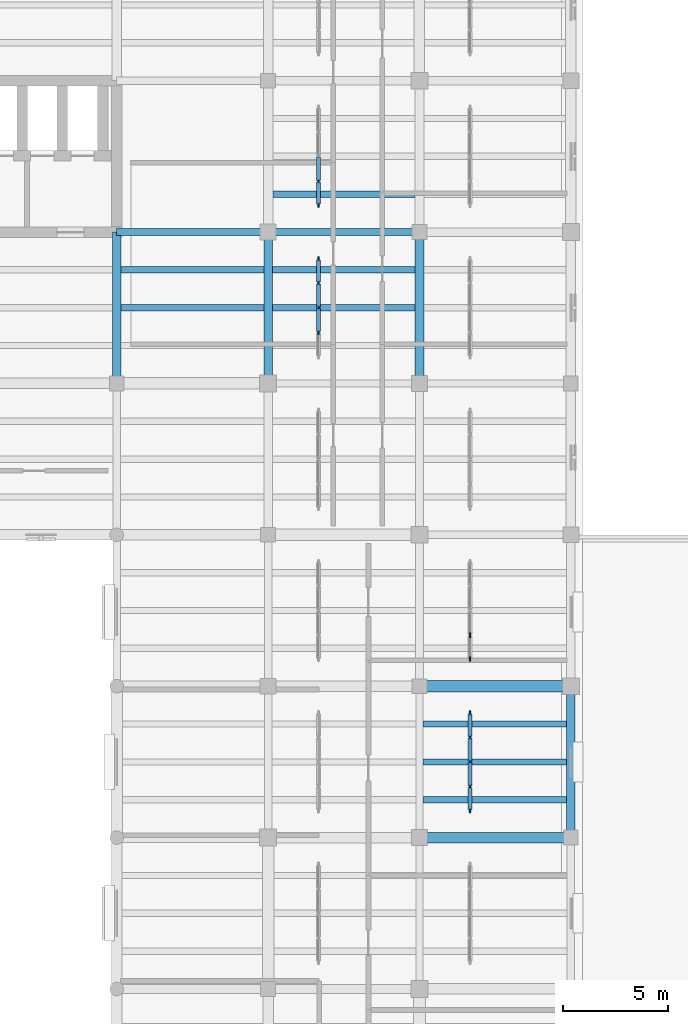
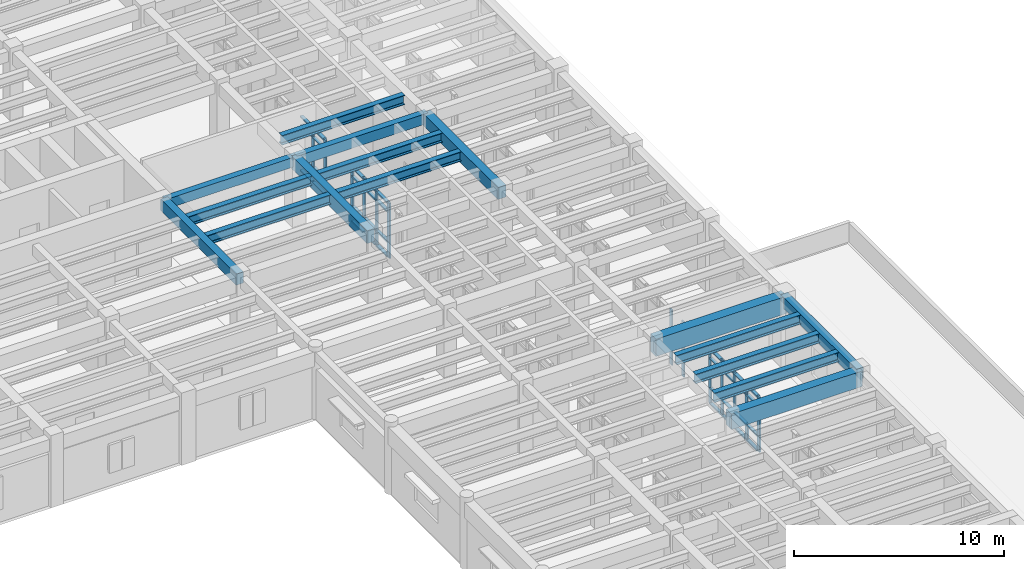
# One storey, part 30 of 76: 49 members, 16 beams, 4 elements without a shape of their own.
"""IFC4 building model written with IfcOpenShell, lengths in metres."""

import ifcopenshell
import ifcopenshell.guid

model = None  # the IFC model being written
_history = None  # IfcOwnerHistory: only IFC2X3 demands one
_inside = {}  # id of a spatial element -> (the spatial element, [elements in it])
_under = {}  # id of a project, library or spatial element -> (it, [spatial elements below it])
_declared = {}  # id of a project -> (the project, [libraries it declares])
_typed = {}  # id of a type object -> (the type object, [elements of that type])
_made_of = {}  # id of a material, layer set ... -> (it, [elements and type objects made of it])


def new_model(schema):
    """Start an empty IFC model of exactly this schema.

    Asked for "IFC4X3", IfcOpenShell would pick the latest addendum, in which some entities
    have other attributes; the version numbers below select the first issue.
    IFC2X3 requires an IfcOwnerHistory on every rooted entity: one is made here for all.
    """
    global model, _history
    if schema == "IFC4X3":
        model = ifcopenshell.file(schema_version=(4, 3, 0, 0))
    else:
        model = ifcopenshell.file(schema=schema)
    _inside.clear()
    _under.clear()
    _declared.clear()
    _typed.clear()
    _made_of.clear()
    _history = None
    if model.schema == "IFC2X3":
        org = make("IfcOrganization", Name="unknown")
        user = make(
            "IfcPersonAndOrganization",
            ThePerson=make("IfcPerson", FamilyName="unknown"),
            TheOrganization=org,
        )
        app = make(
            "IfcApplication",
            ApplicationDeveloper=org,
            Version="unknown",
            ApplicationFullName="unknown",
            ApplicationIdentifier="unknown",
        )
        _history = make(
            "IfcOwnerHistory",
            OwningUser=user,
            OwningApplication=app,
            ChangeAction="ADDED",
            CreationDate=0,
        )
    return model


def make(cls, **values):
    """One entity of the class cls with the attributes given. An attribute that is None is left unset."""
    return model.create_entity(
        cls, **{name: value for name, value in values.items() if value is not None}
    )


def rooted(cls, **values):
    """An entity with a GlobalId (a new one), such as an element, a storey or a relation."""
    return make(cls, GlobalId=ifcopenshell.guid.new(), OwnerHistory=_history, **values)


def si_unit(unit_type, name, prefix=None):
    """IfcSIUnit, for example si_unit("LENGTHUNIT", "METRE", prefix="MILLI")."""
    return make("IfcSIUnit", UnitType=unit_type, Prefix=prefix, Name=name)


def assignment(units):
    """IfcUnitAssignment: the units of a project."""
    return None if units is None else make("IfcUnitAssignment", Units=units)


def point(xyz):
    """IfcCartesianPoint."""
    return None if xyz is None else make("IfcCartesianPoint", Coordinates=xyz)


def direction(xyz):
    """IfcDirection."""
    return None if xyz is None else make("IfcDirection", DirectionRatios=xyz)


def frame(location, z_axis=None, x_axis=None):
    """IfcAxis2Placement3D, a coordinate frame: its origin and axes. An axis left out is left unset."""
    return make(
        "IfcAxis2Placement3D",
        Location=point(location),
        Axis=direction(z_axis),
        RefDirection=direction(x_axis),
    )


def frame_2d(location, x_axis=None):
    """IfcAxis2Placement2D, a coordinate frame in the plane: its origin and x axis."""
    return make(
        "IfcAxis2Placement2D", Location=point(location), RefDirection=direction(x_axis)
    )


def origin():
    """The frame at (0, 0, 0) with its axes left unset."""
    return frame((0.0, 0.0, 0.0))


def origin_2d():
    """The frame at (0, 0) in the plane with its x axis left unset."""
    return frame_2d((0.0, 0.0))


def place(relative_to, where):
    """IfcLocalPlacement: puts the frame where relative to a parent placement (None: the world)."""
    return make(
        "IfcLocalPlacement", PlacementRelTo=relative_to, RelativePlacement=where
    )


def context(
    kind, dimensions, precision=None, world=None, true_north=None, identifier=None
):
    """IfcGeometricRepresentationContext, for example the 3D "Model" context."""
    return make(
        "IfcGeometricRepresentationContext",
        ContextIdentifier=identifier,
        ContextType=kind,
        CoordinateSpaceDimension=dimensions,
        Precision=precision,
        WorldCoordinateSystem=world,
        TrueNorth=true_north,
    )


def subcontext(parent, identifier, kind, view, scale=None):
    """IfcGeometricRepresentationSubContext, for example "Body" below "Model"."""
    return make(
        "IfcGeometricRepresentationSubContext",
        ContextIdentifier=identifier,
        ContextType=kind,
        ParentContext=parent,
        TargetScale=scale,
        TargetView=view,
    )


def project(units=None, contexts=None):
    """IfcProject with its units and contexts."""
    return rooted(
        "IfcProject",
        Name="project",
        RepresentationContexts=contexts,
        UnitsInContext=assignment(units),
    )


def spatial(cls, under=None, at=None, **own):
    """A site, building, storey or space (cls), placed at a placement, below another one or the project."""
    s = rooted(cls, ObjectPlacement=at, **own)
    if under is not None:
        _under.setdefault(under.id(), (under, []))[1].append(s)
    return s


def profile(cls, at=None, kind="AREA", **sizes):
    """A parametric profile (cls). Its sizes go by their IFC names, for example OverallWidth=200.0."""
    return make(cls, ProfileType=kind, Position=at, **sizes)


def rectangle(**sizes):
    """IfcRectangleProfileDef."""
    return profile("IfcRectangleProfileDef", **sizes)


def i_section(**sizes):
    """IfcIShapeProfileDef."""
    return profile("IfcIShapeProfileDef", **sizes)


def extrude(swept, where, along, depth):
    """IfcExtrudedAreaSolid: the profile swept, set in the frame where, extruded along a direction by depth."""
    return make(
        "IfcExtrudedAreaSolid",
        SweptArea=swept,
        Position=where,
        ExtrudedDirection=direction(along),
        Depth=depth,
    )


def shape(context_of_items, identifier, shape_type, items):
    """IfcShapeRepresentation: the items that make up one representation, for example the "Body"."""
    return make(
        "IfcShapeRepresentation",
        ContextOfItems=context_of_items,
        RepresentationIdentifier=identifier,
        RepresentationType=shape_type,
        Items=items,
    )


def material(Name=None, Category=None):
    """IfcMaterial."""
    return make("IfcMaterial", Name=Name, Category=Category)


def material_profile(
    of_material, cross_section, Name=None, Category=None, Priority=None
):
    """IfcMaterialProfile: a cross section and its material."""
    return make(
        "IfcMaterialProfile",
        Name=Name,
        Material=of_material,
        Profile=cross_section,
        Priority=Priority,
        Category=Category,
    )


def profile_set(profiles, Name=None, composite=None):
    """IfcMaterialProfileSet."""
    return make(
        "IfcMaterialProfileSet",
        Name=Name,
        MaterialProfiles=profiles,
        CompositeProfile=composite,
    )


def made_of(thing, what):
    """Note that an element or type object is made of a material, layer set ...; save() writes the relation."""
    if what is not None:
        _made_of.setdefault(what.id(), (what, []))[1].append(thing)
    return thing


def type_object(cls, material=None, **own):
    """A type object (cls), such as IfcWallType, which elements share."""
    return made_of(rooted(cls, **own), material)


def element(
    cls,
    number,
    at=None,
    inside=None,
    cuts=None,
    type_object=None,
    material=None,
    context=None,
    identifier="Body",
    shape_type=None,
    held_by="IfcProductDefinitionShape",
    body=None,
    shapes=None,
    **own,
):
    """One element of the class cls, such as IfcWall. Its Tag is "e" and its number.

    at: its placement. inside: the storey or other place that contains it. cuts: it is an
    opening in that element (IfcRelVoidsElement). A single representation is given by context,
    identifier, shape_type and body (its items); several are given by shapes. held_by: the class
    of the entity that holds the representations. save() writes the other relations.
    """
    e = rooted(cls, Tag="e%d" % number, ObjectPlacement=at, **own)
    if body is not None:
        shapes = [shape(context, identifier, shape_type, body)]
    if shapes is not None:
        e.Representation = make(held_by, Representations=shapes)
    if inside is not None:
        _inside.setdefault(inside.id(), (inside, []))[1].append(e)
    if cuts is not None:
        rooted(
            "IfcRelVoidsElement", RelatingBuildingElement=cuts, RelatedOpeningElement=e
        )
    if type_object is not None:
        _typed.setdefault(type_object.id(), (type_object, []))[1].append(e)
    return made_of(e, material)


def aggregate(whole, parts):
    """IfcRelAggregates: a whole, such as a stair, and the parts it consists of."""
    return rooted("IfcRelAggregates", RelatingObject=whole, RelatedObjects=parts)


def save(model, path):
    """Write the relations noted so far, then the file.

    IfcRelAggregates (storeys below a building ...), IfcRelContainedInSpatialStructure (elements
    in a storey), IfcRelDefinesByType, IfcRelAssociatesMaterial and IfcRelDeclares: one each for
    every whole, place, type object, material and project.
    """
    for whole, parts in _under.values():
        aggregate(whole, parts)
    for where, things in _inside.values():
        rooted(
            "IfcRelContainedInSpatialStructure",
            RelatedElements=things,
            RelatingStructure=where,
        )
    for kind, things in _typed.values():
        rooted("IfcRelDefinesByType", RelatedObjects=things, RelatingType=kind)
    for what, things in _made_of.values():
        rooted("IfcRelAssociatesMaterial", RelatedObjects=things, RelatingMaterial=what)
    for by, libraries in _declared.values():
        rooted("IfcRelDeclares", RelatingContext=by, RelatedDefinitions=libraries)
    model.write(path)


model = new_model("IFC4")

# Units and contexts
model_context = context("Model", 3, precision=1e-05, world=origin(), true_north=direction((0.0, 1.0)))
body_context = subcontext(model_context, "Body", "Model", "MODEL_VIEW")
ifc_project = project(units=[si_unit("LENGTHUNIT", "METRE"), si_unit("AREAUNIT", "SQUARE_METRE"), si_unit("VOLUMEUNIT", "CUBIC_METRE"), si_unit("PLANEANGLEUNIT", "RADIAN"), si_unit("MASSUNIT", "GRAM", prefix="KILO")], contexts=[model_context])

# Site, building, storey
site_placement = place(None, origin())
site = spatial("IfcSite", under=ifc_project, at=site_placement, CompositionType="ELEMENT")
building_placement = place(site_placement, origin())
building = spatial("IfcBuilding", under=site, at=building_placement, Name="Mithqara Police Headquarters", CompositionType="ELEMENT")
storey_placement = place(building_placement, frame((0.0, 0.0, 5.39990234375)))
storey = spatial("IfcBuildingStorey", under=building, at=storey_placement, Name="L01", CompositionType="ELEMENT", Elevation=5.39990234375)

# Beams
ifc_material_1 = material(Name="Steel S355JR", Category="steel")
ifc_material_profile_1 = material_profile(ifc_material_1, i_section(OverallWidth=0.300048828125, OverallDepth=0.550048828125, WebThickness=0.014892578125, FlangeThickness=0.029052734375, FilletRadius=0.027099609375, at=origin_2d()), Name="HEB 550")
ifc_profile_set_1 = profile_set([ifc_material_profile_1], Name="Steel S355JR")
beam_type_1 = type_object("IfcBeamType", Name="BEAM HEB550", PredefinedType="BEAM", material=ifc_profile_set_1)
for number, where, z_axis, x_axis, name in (
    (1, (144.800048828125, 89.39990234375, 3.64501953125), (1.0, 0.0, 0.0), (0.0, 1.0, 0.0), "L01 Composite Steel Joist 21-22/N.2"),
    (2, (144.800048828125, 91.199951171875, 3.64501953125), (1.0, 0.0, 0.0), (0.0, 1.0, 0.0), "L01 Composite Steel Joist 21-22/N.3"),
):
    element("IfcBeam", number, at=place(storey_placement, frame(where, z_axis=z_axis, x_axis=x_axis)), inside=storey, type_object=beam_type_1, Name=name, PredefinedType="BEAM", context=body_context, shape_type="SweptSolid", body=[
        extrude(i_section(OverallWidth=0.300048828125, OverallDepth=0.550048828125, WebThickness=0.014892578125, FlangeThickness=0.029052734375, FilletRadius=0.027099609375, at=origin_2d()), origin(), (0.0, 0.0, 1.0), 6.800048828125),
    ])
for number, where, z_axis, x_axis, name in (
    (3, (152.0, 89.39990234375, 3.64501953125), (1.0, 0.0, 0.0), (0.0, 1.0, 0.0), "L01 Composite Steel Joist 22-23/N.2"),
    (4, (152.0, 91.199951171875, 3.64501953125), (1.0, 0.0, 0.0), (0.0, 1.0, 0.0), "L01 Composite Steel Joist 22-23/N.3"),
):
    element("IfcBeam", number, at=place(storey_placement, frame(where, z_axis=z_axis, x_axis=x_axis)), inside=storey, type_object=beam_type_1, Name=name, PredefinedType="BEAM", context=body_context, shape_type="SweptSolid", body=[
        extrude(i_section(OverallWidth=0.300048828125, OverallDepth=0.550048828125, WebThickness=0.014892578125, FlangeThickness=0.029052734375, FilletRadius=0.027099609375, at=origin_2d()), origin(), (0.0, 0.0, 1.0), 6.77490234375),
    ])
beam_1_placement = place(storey_placement, frame((152.02490234375, 94.800048828125, 3.64501953125), z_axis=(1.0, 0.0, 0.0), x_axis=(0.0, 1.0, 0.0)))
element("IfcBeam", 5, at=beam_1_placement, inside=storey, type_object=beam_type_1, Name="L01 Composite Steel Joist 22-23/P.1", PredefinedType="BEAM", context=body_context, shape_type="SweptSolid", body=[
    extrude(i_section(OverallWidth=0.300048828125, OverallDepth=0.550048828125, WebThickness=0.014892578125, FlangeThickness=0.029052734375, FilletRadius=0.027099609375, at=origin_2d()), origin(), (0.0, 0.0, 1.0), 6.75),
])
for number, where, z_axis, x_axis, name in (
    (6, (159.175048828125, 66.0, 3.64501953125), (1.0, 0.0, 0.0), (0.0, 1.0, 0.0), "L01 Composite Steel Joist 23-24/K.1"),
    (7, (159.175048828125, 67.800048828125, 3.64501953125), (1.0, 0.0, 0.0), (0.0, 1.0, 0.0), "L01 Composite Steel Joist 23-24/K.2"),
    (8, (159.175048828125, 69.60009765625, 3.64501953125), (1.0, 0.0, 0.0), (0.0, 1.0, 0.0), "L01 Composite Steel Joist 23-24/K.3"),
):
    element("IfcBeam", number, at=place(storey_placement, frame(where, z_axis=z_axis, x_axis=x_axis)), inside=storey, type_object=beam_type_1, Name=name, PredefinedType="BEAM", context=body_context, shape_type="SweptSolid", body=[
        extrude(i_section(OverallWidth=0.300048828125, OverallDepth=0.550048828125, WebThickness=0.014892578125, FlangeThickness=0.029052734375, FilletRadius=0.027099609375, at=origin_2d()), origin(), (0.0, 0.0, 1.0), 6.824951171875),
    ])
ifc_material_2 = material(Name="Concrete C40/50", Category="concrete")
ifc_material_profile_2 = material_profile(ifc_material_2, rectangle(XDim=0.35009765625, YDim=0.550048828125, at=origin_2d()), Name="RC 350x550")
ifc_profile_set_2 = profile_set([ifc_material_profile_2], Name="Concrete C40/50")
beam_type_2 = type_object("IfcBeamType", Name="BEAM RC350X550", PredefinedType="BEAM", material=ifc_profile_set_2)
beam_2_placement = place(storey_placement, frame((144.60009765625, 93.0, 3.64501953125), z_axis=(1.0, 0.0, 0.0), x_axis=(0.0, 1.0, 0.0)))
element("IfcBeam", 9, at=beam_2_placement, inside=storey, type_object=beam_type_2, Name="L01 Girder 21-22/P", PredefinedType="BEAM", context=body_context, shape_type="SweptSolid", body=[
    extrude(rectangle(XDim=0.35009765625, YDim=0.550048828125, at=origin_2d()), origin(), (0.0, 0.0, 1.0), 7.199951171875),
])
ifc_material_profile_3 = material_profile(ifc_material_2, rectangle(XDim=0.35009765625, YDim=0.60009765625, at=origin_2d()), Name="RC 350x600")
ifc_profile_set_3 = profile_set([ifc_material_profile_3], Name="Concrete C40/50")
beam_type_3 = type_object("IfcBeamType", Name="BEAM RC350X600", PredefinedType="BEAM", material=ifc_profile_set_3)
beam_3_placement = place(storey_placement, frame((151.800048828125, 93.0, 3.6201171875), z_axis=(1.0, 0.0, 0.0), x_axis=(0.0, 1.0, 0.0)))
element("IfcBeam", 10, at=beam_3_placement, inside=storey, type_object=beam_type_3, Name="L01 Girder 22-23/P", PredefinedType="BEAM", context=body_context, shape_type="SweptSolid", body=[
    extrude(rectangle(XDim=0.35009765625, YDim=0.60009765625, at=origin_2d()), origin(), (0.0, 0.0, 1.0), 7.199951171875),
])
ifc_material_profile_4 = material_profile(ifc_material_2, rectangle(XDim=0.39990234375, YDim=0.64990234375, at=origin_2d()), Name="RC 400x650")
ifc_profile_set_4 = profile_set([ifc_material_profile_4], Name="Concrete C40/50")
beam_type_4 = type_object("IfcBeamType", Name="BEAM RC400X650", PredefinedType="BEAM", material=ifc_profile_set_4)
for number, where, z_axis, x_axis, name in (
    (11, (144.60009765625, 85.800048828125, 3.59521484375), (0.0, 1.0, 0.0), (-1.0, 0.0, 0.0), "L01 Girder 21/N-P"),
    (12, (166.199951171875, 64.199951171875, 3.59521484375), (0.0, 1.0, 0.0), (-1.0, 0.0, 0.0), "L01 Girder 24/K-L"),
):
    element("IfcBeam", number, at=place(storey_placement, frame(where, z_axis=z_axis, x_axis=x_axis)), inside=storey, type_object=beam_type_4, Name=name, PredefinedType="BEAM", context=body_context, shape_type="SweptSolid", body=[
        extrude(rectangle(XDim=0.39990234375, YDim=0.64990234375, at=origin_2d()), origin(), (0.0, 0.0, 1.0), 7.199951171875),
    ])
ifc_material_profile_5 = material_profile(ifc_material_2, rectangle(XDim=0.39990234375, YDim=0.75, at=origin_2d()), Name="RC 400x750")
ifc_profile_set_5 = profile_set([ifc_material_profile_5], Name="Concrete C40/50")
beam_type_5 = type_object("IfcBeamType", Name="BEAM RC400X750", PredefinedType="BEAM", material=ifc_profile_set_5)
beam_4_placement = place(storey_placement, frame((151.800048828125, 85.800048828125, 3.545166015625), z_axis=(0.0, 1.0, 0.0), x_axis=(-1.0, 0.0, 0.0)))
element("IfcBeam", 13, at=beam_4_placement, inside=storey, type_object=beam_type_5, Name="L01 Girder 22/N-P", PredefinedType="BEAM", context=body_context, shape_type="SweptSolid", body=[
    extrude(rectangle(XDim=0.39990234375, YDim=0.75, at=origin_2d()), origin(), (0.0, 0.0, 1.0), 7.199951171875),
])
ifc_material_profile_6 = material_profile(ifc_material_2, rectangle(XDim=0.449951171875, YDim=0.699951171875, at=origin_2d()), Name="RC 450x700")
ifc_profile_set_6 = profile_set([ifc_material_profile_6], Name="Concrete C40/50")
beam_type_6 = type_object("IfcBeamType", Name="BEAM RC450X700", PredefinedType="BEAM", material=ifc_profile_set_6)
beam_5_placement = place(storey_placement, frame((159.0, 85.800048828125, 3.570068359375), z_axis=(0.0, 1.0, 0.0), x_axis=(-1.0, 0.0, 0.0)))
element("IfcBeam", 14, at=beam_5_placement, inside=storey, type_object=beam_type_6, Name="L01 Girder 23/N-P", PredefinedType="BEAM", context=body_context, shape_type="SweptSolid", body=[
    extrude(rectangle(XDim=0.449951171875, YDim=0.699951171875, at=origin_2d()), origin(), (0.0, 0.0, 1.0), 7.199951171875),
])
ifc_material_3 = material(Name="Concrete C50/60", Category="concrete")
ifc_material_profile_7 = material_profile(ifc_material_3, rectangle(XDim=0.5, YDim=0.89990234375, at=origin_2d()), Name="RC 500x900")
ifc_profile_set_7 = profile_set([ifc_material_profile_7], Name="Concrete C50/60")
beam_type_7 = type_object("IfcBeamType", Name="BEAM RC500X900", PredefinedType="BEAM", material=ifc_profile_set_7)
beam_6_placement = place(storey_placement, frame((159.0, 64.199951171875, 3.47021484375), z_axis=(1.0, 0.0, 0.0), x_axis=(0.0, 1.0, 0.0)))
element("IfcBeam", 15, at=beam_6_placement, inside=storey, type_object=beam_type_7, Name="L01 Girder 23-24/K", PredefinedType="BEAM", context=body_context, shape_type="SweptSolid", body=[
    extrude(rectangle(XDim=0.5, YDim=0.89990234375, at=origin_2d()), origin(), (0.0, 0.0, 1.0), 7.199951171875),
])
ifc_material_profile_8 = material_profile(ifc_material_3, rectangle(XDim=0.550048828125, YDim=1.0, at=origin_2d()), Name="RC 550x1000")
ifc_profile_set_8 = profile_set([ifc_material_profile_8], Name="Concrete C50/60")
beam_type_8 = type_object("IfcBeamType", Name="BEAM RC550X1000", PredefinedType="BEAM", material=ifc_profile_set_8)
beam_7_placement = place(storey_placement, frame((159.0, 71.39990234375, 3.420166015625), z_axis=(1.0, 0.0, 0.0), x_axis=(0.0, 1.0, 0.0)))
element("IfcBeam", 16, at=beam_7_placement, inside=storey, type_object=beam_type_8, Name="L01 Girder 23-24/L", PredefinedType="BEAM", context=body_context, shape_type="SweptSolid", body=[
    extrude(rectangle(XDim=0.550048828125, YDim=1.0, at=origin_2d()), origin(), (0.0, 0.0, 1.0), 7.199951171875),
])

# Curtain wall, members
ifc_material_4 = material(Name="Bronze anodised aluminium 6063-T6", Category="aluminium")
curtain_wall_type = type_object("IfcCurtainWallType", Name="CURTAIN WALL 4700X3200", PredefinedType="USERDEFINED", material=ifc_material_4)
curtain_wall_1_placement = place(storey_placement, origin())
curtain_wall_1 = element("IfcCurtainWall", 17, at=curtain_wall_1_placement, inside=storey, type_object=curtain_wall_type, Name="L01 Unitised Glazing CW-15 (CW-INT-L01-X21-Y12-0)", ObjectType="UNITISED GLAZING", PredefinedType="USERDEFINED")
ifc_material_profile_9 = material_profile(ifc_material_4, rectangle(XDim=0.074951171875, YDim=0.219970703125, at=origin_2d()), Name="CWM 75x220")
ifc_profile_set_9 = profile_set([ifc_material_profile_9], Name="Bronze anodised aluminium 6063-T6")
member_type_1 = type_object("IfcMemberType", Name="CWMULLION 75X220", PredefinedType="MULLION", material=ifc_profile_set_9)
member_1_placement = place(storey_placement, frame((154.199951171875, 88.22509765625, 0.0), z_axis=(0.0, 0.0, 1.0), x_axis=(-1.0, 0.0, 0.0)))
member_1 = element("IfcMember", 18, at=member_1_placement, type_object=member_type_1, Name="CW-15 mullion 2", PredefinedType="MULLION", context=body_context, shape_type="SweptSolid", body=[
    extrude(rectangle(XDim=0.074951171875, YDim=0.219970703125, at=origin_2d()), origin(), (0.0, 0.0, 1.0), 3.2001953125),
])
member_2_placement = place(storey_placement, frame((154.199951171875, 89.39990234375, 0.0), z_axis=(0.0, 0.0, 1.0), x_axis=(-1.0, 0.0, 0.0)))
member_2 = element("IfcMember", 19, at=member_2_placement, type_object=member_type_1, Name="CW-15 mullion 3", PredefinedType="MULLION", context=body_context, shape_type="SweptSolid", body=[
    extrude(rectangle(XDim=0.074951171875, YDim=0.219970703125, at=origin_2d()), origin(), (0.0, 0.0, 1.0), 3.2001953125),
])
member_3_placement = place(storey_placement, frame((154.199951171875, 90.574951171875, 0.0), z_axis=(0.0, 0.0, 1.0), x_axis=(-1.0, 0.0, 0.0)))
member_3 = element("IfcMember", 20, at=member_3_placement, type_object=member_type_1, Name="CW-15 mullion 4", PredefinedType="MULLION", context=body_context, shape_type="SweptSolid", body=[
    extrude(rectangle(XDim=0.074951171875, YDim=0.219970703125, at=origin_2d()), origin(), (0.0, 0.0, 1.0), 3.2001953125),
])
member_4_placement = place(storey_placement, frame((154.199951171875, 91.71240234375, 0.0), z_axis=(0.0, 0.0, 1.0), x_axis=(-1.0, 0.0, 0.0)))
member_4 = element("IfcMember", 21, at=member_4_placement, type_object=member_type_1, Name="CW-15 mullion 5", PredefinedType="MULLION", context=body_context, shape_type="SweptSolid", body=[
    extrude(rectangle(XDim=0.074951171875, YDim=0.219970703125, at=origin_2d()), origin(), (0.0, 0.0, 1.0), 3.2001953125),
])

curtain_wall_2_placement = place(storey_placement, origin())
curtain_wall_2 = element("IfcCurtainWall", 22, at=curtain_wall_2_placement, inside=storey, type_object=curtain_wall_type, Name="L01 Unitised Glazing CW-15 (CW-INT-L01-X21-Y13-0)", ObjectType="UNITISED GLAZING", PredefinedType="USERDEFINED")
member_5_placement = place(storey_placement, frame((154.199951171875, 94.28759765625, 0.0), z_axis=(0.0, 0.0, 1.0), x_axis=(-1.0, 0.0, 0.0)))
member_5 = element("IfcMember", 23, at=member_5_placement, type_object=member_type_1, Name="CW-15 mullion 1", PredefinedType="MULLION", context=body_context, shape_type="SweptSolid", body=[
    extrude(rectangle(XDim=0.074951171875, YDim=0.219970703125, at=origin_2d()), origin(), (0.0, 0.0, 1.0), 3.2001953125),
])
member_6_placement = place(storey_placement, frame((154.199951171875, 95.425048828125, 0.0), z_axis=(0.0, 0.0, 1.0), x_axis=(-1.0, 0.0, 0.0)))
member_6 = element("IfcMember", 24, at=member_6_placement, type_object=member_type_1, Name="CW-15 mullion 2", PredefinedType="MULLION", context=body_context, shape_type="SweptSolid", body=[
    extrude(rectangle(XDim=0.074951171875, YDim=0.219970703125, at=origin_2d()), origin(), (0.0, 0.0, 1.0), 3.2001953125),
])

curtain_wall_3_placement = place(storey_placement, origin())
curtain_wall_3 = element("IfcCurtainWall", 25, at=curtain_wall_3_placement, inside=storey, type_object=curtain_wall_type, Name="L01 Unitised Glazing CW-15 (CW-INT-L01-X22-Y09-0)", ObjectType="UNITISED GLAZING", PredefinedType="USERDEFINED")
member_7_placement = place(storey_placement, frame((161.39990234375, 65.487548828125, 0.0), z_axis=(0.0, 0.0, 1.0), x_axis=(-1.0, 0.0, 0.0)))
member_7 = element("IfcMember", 26, at=member_7_placement, type_object=member_type_1, Name="CW-15 mullion 1", PredefinedType="MULLION", context=body_context, shape_type="SweptSolid", body=[
    extrude(rectangle(XDim=0.074951171875, YDim=0.219970703125, at=origin_2d()), origin(), (0.0, 0.0, 1.0), 3.2001953125),
])
member_8_placement = place(storey_placement, frame((161.39990234375, 66.625, 0.0), z_axis=(0.0, 0.0, 1.0), x_axis=(-1.0, 0.0, 0.0)))
member_8 = element("IfcMember", 27, at=member_8_placement, type_object=member_type_1, Name="CW-15 mullion 2", PredefinedType="MULLION", context=body_context, shape_type="SweptSolid", body=[
    extrude(rectangle(XDim=0.074951171875, YDim=0.219970703125, at=origin_2d()), origin(), (0.0, 0.0, 1.0), 3.2001953125),
])
member_9_placement = place(storey_placement, frame((161.39990234375, 67.800048828125, 0.0), z_axis=(0.0, 0.0, 1.0), x_axis=(-1.0, 0.0, 0.0)))
member_9 = element("IfcMember", 28, at=member_9_placement, type_object=member_type_1, Name="CW-15 mullion 3", PredefinedType="MULLION", context=body_context, shape_type="SweptSolid", body=[
    extrude(rectangle(XDim=0.074951171875, YDim=0.219970703125, at=origin_2d()), origin(), (0.0, 0.0, 1.0), 3.2001953125),
])
member_10_placement = place(storey_placement, frame((161.39990234375, 68.97509765625, 0.0), z_axis=(0.0, 0.0, 1.0), x_axis=(-1.0, 0.0, 0.0)))
member_10 = element("IfcMember", 29, at=member_10_placement, type_object=member_type_1, Name="CW-15 mullion 4", PredefinedType="MULLION", context=body_context, shape_type="SweptSolid", body=[
    extrude(rectangle(XDim=0.074951171875, YDim=0.219970703125, at=origin_2d()), origin(), (0.0, 0.0, 1.0), 3.2001953125),
])
member_11_placement = place(storey_placement, frame((161.39990234375, 70.112548828125, 0.0), z_axis=(0.0, 0.0, 1.0), x_axis=(-1.0, 0.0, 0.0)))
member_11 = element("IfcMember", 30, at=member_11_placement, type_object=member_type_1, Name="CW-15 mullion 5", PredefinedType="MULLION", context=body_context, shape_type="SweptSolid", body=[
    extrude(rectangle(XDim=0.074951171875, YDim=0.219970703125, at=origin_2d()), origin(), (0.0, 0.0, 1.0), 3.2001953125),
])

curtain_wall_4_placement = place(storey_placement, origin())
curtain_wall_4 = element("IfcCurtainWall", 31, at=curtain_wall_4_placement, inside=storey, type_object=curtain_wall_type, Name="L01 Unitised Glazing CW-15 (CW-INT-L01-X22-Y10-0)", ObjectType="UNITISED GLAZING", PredefinedType="USERDEFINED")
member_12_placement = place(storey_placement, frame((161.39990234375, 72.6875, 0.0), z_axis=(0.0, 0.0, 1.0), x_axis=(-1.0, 0.0, 0.0)))
member_12 = element("IfcMember", 32, at=member_12_placement, type_object=member_type_1, Name="CW-15 mullion 1", PredefinedType="MULLION", context=body_context, shape_type="SweptSolid", body=[
    extrude(rectangle(XDim=0.074951171875, YDim=0.219970703125, at=origin_2d()), origin(), (0.0, 0.0, 1.0), 3.2001953125),
])
member_13_placement = place(storey_placement, frame((161.39990234375, 73.824951171875, 0.0), z_axis=(0.0, 0.0, 1.0), x_axis=(-1.0, 0.0, 0.0)))
member_13 = element("IfcMember", 33, at=member_13_placement, type_object=member_type_1, Name="CW-15 mullion 2", PredefinedType="MULLION", context=body_context, shape_type="SweptSolid", body=[
    extrude(rectangle(XDim=0.074951171875, YDim=0.219970703125, at=origin_2d()), origin(), (0.0, 0.0, 1.0), 3.2001953125),
])
aggregate(curtain_wall_4, [member_12, member_13])

# Member
ifc_material_profile_10 = material_profile(ifc_material_4, rectangle(XDim=0.179931640625, YDim=0.074951171875, at=origin_2d()), Name="CWT 180x75")
ifc_profile_set_10 = profile_set([ifc_material_profile_10], Name="Bronze anodised aluminium 6063-T6")
member_type_2 = type_object("IfcMemberType", Name="CWTRANSOM 180X75", PredefinedType="USERDEFINED", material=ifc_profile_set_10)
member_14_placement = place(storey_placement, frame((154.199951171875, 88.262451171875, 0.03759765625), z_axis=(0.0, 1.0, 0.0), x_axis=(-1.0, 0.0, 0.0)))
member_14 = element("IfcMember", 34, at=member_14_placement, type_object=member_type_2, Name="CW-15 transom 2.1", ObjectType="TRANSOM", PredefinedType="USERDEFINED", context=body_context, shape_type="SweptSolid", body=[
    extrude(rectangle(XDim=0.179931640625, YDim=0.074951171875, at=origin_2d()), origin(), (0.0, 0.0, 1.0), 1.10009765625),
])

member_15_placement = place(storey_placement, frame((154.199951171875, 88.262451171875, 0.900146484375), z_axis=(0.0, 1.0, 0.0), x_axis=(-1.0, 0.0, 0.0)))
member_15 = element("IfcMember", 35, at=member_15_placement, type_object=member_type_2, Name="CW-15 transom 2.2", ObjectType="TRANSOM", PredefinedType="USERDEFINED", context=body_context, shape_type="SweptSolid", body=[
    extrude(rectangle(XDim=0.179931640625, YDim=0.074951171875, at=origin_2d()), origin(), (0.0, 0.0, 1.0), 1.10009765625),
])

member_16_placement = place(storey_placement, frame((154.199951171875, 88.262451171875, 2.650146484375), z_axis=(0.0, 1.0, 0.0), x_axis=(-1.0, 0.0, 0.0)))
member_16 = element("IfcMember", 36, at=member_16_placement, type_object=member_type_2, Name="CW-15 transom 2.3", ObjectType="TRANSOM", PredefinedType="USERDEFINED", context=body_context, shape_type="SweptSolid", body=[
    extrude(rectangle(XDim=0.179931640625, YDim=0.074951171875, at=origin_2d()), origin(), (0.0, 0.0, 1.0), 1.10009765625),
])

member_17_placement = place(storey_placement, frame((154.199951171875, 88.262451171875, 3.16259765625), z_axis=(0.0, 1.0, 0.0), x_axis=(-1.0, 0.0, 0.0)))
member_17 = element("IfcMember", 37, at=member_17_placement, type_object=member_type_2, Name="CW-15 transom 2.4", ObjectType="TRANSOM", PredefinedType="USERDEFINED", context=body_context, shape_type="SweptSolid", body=[
    extrude(rectangle(XDim=0.179931640625, YDim=0.074951171875, at=origin_2d()), origin(), (0.0, 0.0, 1.0), 1.10009765625),
])

member_18_placement = place(storey_placement, frame((154.199951171875, 89.4375, 0.03759765625), z_axis=(0.0, 1.0, 0.0), x_axis=(-1.0, 0.0, 0.0)))
member_18 = element("IfcMember", 38, at=member_18_placement, type_object=member_type_2, Name="CW-15 transom 3.1", ObjectType="TRANSOM", PredefinedType="USERDEFINED", context=body_context, shape_type="SweptSolid", body=[
    extrude(rectangle(XDim=0.179931640625, YDim=0.074951171875, at=origin_2d()), origin(), (0.0, 0.0, 1.0), 1.10009765625),
])

member_19_placement = place(storey_placement, frame((154.199951171875, 89.4375, 0.900146484375), z_axis=(0.0, 1.0, 0.0), x_axis=(-1.0, 0.0, 0.0)))
member_19 = element("IfcMember", 39, at=member_19_placement, type_object=member_type_2, Name="CW-15 transom 3.2", ObjectType="TRANSOM", PredefinedType="USERDEFINED", context=body_context, shape_type="SweptSolid", body=[
    extrude(rectangle(XDim=0.179931640625, YDim=0.074951171875, at=origin_2d()), origin(), (0.0, 0.0, 1.0), 1.10009765625),
])

member_20_placement = place(storey_placement, frame((154.199951171875, 89.4375, 2.650146484375), z_axis=(0.0, 1.0, 0.0), x_axis=(-1.0, 0.0, 0.0)))
member_20 = element("IfcMember", 40, at=member_20_placement, type_object=member_type_2, Name="CW-15 transom 3.3", ObjectType="TRANSOM", PredefinedType="USERDEFINED", context=body_context, shape_type="SweptSolid", body=[
    extrude(rectangle(XDim=0.179931640625, YDim=0.074951171875, at=origin_2d()), origin(), (0.0, 0.0, 1.0), 1.10009765625),
])

member_21_placement = place(storey_placement, frame((154.199951171875, 89.4375, 3.16259765625), z_axis=(0.0, 1.0, 0.0), x_axis=(-1.0, 0.0, 0.0)))
member_21 = element("IfcMember", 41, at=member_21_placement, type_object=member_type_2, Name="CW-15 transom 3.4", ObjectType="TRANSOM", PredefinedType="USERDEFINED", context=body_context, shape_type="SweptSolid", body=[
    extrude(rectangle(XDim=0.179931640625, YDim=0.074951171875, at=origin_2d()), origin(), (0.0, 0.0, 1.0), 1.10009765625),
])

member_22_placement = place(storey_placement, frame((154.199951171875, 90.612548828125, 0.03759765625), z_axis=(0.0, 1.0, 0.0), x_axis=(-1.0, 0.0, 0.0)))
member_22 = element("IfcMember", 42, at=member_22_placement, type_object=member_type_2, Name="CW-15 transom 4.1", ObjectType="TRANSOM", PredefinedType="USERDEFINED", context=body_context, shape_type="SweptSolid", body=[
    extrude(rectangle(XDim=0.179931640625, YDim=0.074951171875, at=origin_2d()), origin(), (0.0, 0.0, 1.0), 1.0625),
])

member_23_placement = place(storey_placement, frame((154.199951171875, 90.612548828125, 0.900146484375), z_axis=(0.0, 1.0, 0.0), x_axis=(-1.0, 0.0, 0.0)))
member_23 = element("IfcMember", 43, at=member_23_placement, type_object=member_type_2, Name="CW-15 transom 4.2", ObjectType="TRANSOM", PredefinedType="USERDEFINED", context=body_context, shape_type="SweptSolid", body=[
    extrude(rectangle(XDim=0.179931640625, YDim=0.074951171875, at=origin_2d()), origin(), (0.0, 0.0, 1.0), 1.0625),
])

member_24_placement = place(storey_placement, frame((154.199951171875, 90.612548828125, 2.650146484375), z_axis=(0.0, 1.0, 0.0), x_axis=(-1.0, 0.0, 0.0)))
member_24 = element("IfcMember", 44, at=member_24_placement, type_object=member_type_2, Name="CW-15 transom 4.3", ObjectType="TRANSOM", PredefinedType="USERDEFINED", context=body_context, shape_type="SweptSolid", body=[
    extrude(rectangle(XDim=0.179931640625, YDim=0.074951171875, at=origin_2d()), origin(), (0.0, 0.0, 1.0), 1.0625),
])

member_25_placement = place(storey_placement, frame((154.199951171875, 90.612548828125, 3.16259765625), z_axis=(0.0, 1.0, 0.0), x_axis=(-1.0, 0.0, 0.0)))
member_25 = element("IfcMember", 45, at=member_25_placement, type_object=member_type_2, Name="CW-15 transom 4.4", ObjectType="TRANSOM", PredefinedType="USERDEFINED", context=body_context, shape_type="SweptSolid", body=[
    extrude(rectangle(XDim=0.179931640625, YDim=0.074951171875, at=origin_2d()), origin(), (0.0, 0.0, 1.0), 1.0625),
])

aggregate(curtain_wall_1, [member_1, member_2, member_3, member_4, member_14, member_15, member_16, member_17, member_18, member_19, member_20, member_21, member_22, member_23, member_24, member_25])

member_26_placement = place(storey_placement, frame((154.199951171875, 94.324951171875, 0.03759765625), z_axis=(0.0, 1.0, 0.0), x_axis=(-1.0, 0.0, 0.0)))
member_26 = element("IfcMember", 46, at=member_26_placement, type_object=member_type_2, Name="CW-15 transom 1.1", ObjectType="TRANSOM", PredefinedType="USERDEFINED", context=body_context, shape_type="SweptSolid", body=[
    extrude(rectangle(XDim=0.179931640625, YDim=0.074951171875, at=origin_2d()), origin(), (0.0, 0.0, 1.0), 1.0625),
])

member_27_placement = place(storey_placement, frame((154.199951171875, 94.324951171875, 0.900146484375), z_axis=(0.0, 1.0, 0.0), x_axis=(-1.0, 0.0, 0.0)))
member_27 = element("IfcMember", 47, at=member_27_placement, type_object=member_type_2, Name="CW-15 transom 1.2", ObjectType="TRANSOM", PredefinedType="USERDEFINED", context=body_context, shape_type="SweptSolid", body=[
    extrude(rectangle(XDim=0.179931640625, YDim=0.074951171875, at=origin_2d()), origin(), (0.0, 0.0, 1.0), 1.0625),
])

member_28_placement = place(storey_placement, frame((154.199951171875, 94.324951171875, 2.650146484375), z_axis=(0.0, 1.0, 0.0), x_axis=(-1.0, 0.0, 0.0)))
member_28 = element("IfcMember", 48, at=member_28_placement, type_object=member_type_2, Name="CW-15 transom 1.3", ObjectType="TRANSOM", PredefinedType="USERDEFINED", context=body_context, shape_type="SweptSolid", body=[
    extrude(rectangle(XDim=0.179931640625, YDim=0.074951171875, at=origin_2d()), origin(), (0.0, 0.0, 1.0), 1.0625),
])

member_29_placement = place(storey_placement, frame((154.199951171875, 94.324951171875, 3.16259765625), z_axis=(0.0, 1.0, 0.0), x_axis=(-1.0, 0.0, 0.0)))
member_29 = element("IfcMember", 49, at=member_29_placement, type_object=member_type_2, Name="CW-15 transom 1.4", ObjectType="TRANSOM", PredefinedType="USERDEFINED", context=body_context, shape_type="SweptSolid", body=[
    extrude(rectangle(XDim=0.179931640625, YDim=0.074951171875, at=origin_2d()), origin(), (0.0, 0.0, 1.0), 1.0625),
])

member_30_placement = place(storey_placement, frame((154.199951171875, 95.46240234375, 0.03759765625), z_axis=(0.0, 1.0, 0.0), x_axis=(-1.0, 0.0, 0.0)))
member_30 = element("IfcMember", 50, at=member_30_placement, type_object=member_type_2, Name="CW-15 transom 2.1", ObjectType="TRANSOM", PredefinedType="USERDEFINED", context=body_context, shape_type="SweptSolid", body=[
    extrude(rectangle(XDim=0.179931640625, YDim=0.074951171875, at=origin_2d()), origin(), (0.0, 0.0, 1.0), 1.10009765625),
])

member_31_placement = place(storey_placement, frame((154.199951171875, 95.46240234375, 0.900146484375), z_axis=(0.0, 1.0, 0.0), x_axis=(-1.0, 0.0, 0.0)))
member_31 = element("IfcMember", 51, at=member_31_placement, type_object=member_type_2, Name="CW-15 transom 2.2", ObjectType="TRANSOM", PredefinedType="USERDEFINED", context=body_context, shape_type="SweptSolid", body=[
    extrude(rectangle(XDim=0.179931640625, YDim=0.074951171875, at=origin_2d()), origin(), (0.0, 0.0, 1.0), 1.10009765625),
])

member_32_placement = place(storey_placement, frame((154.199951171875, 95.46240234375, 2.650146484375), z_axis=(0.0, 1.0, 0.0), x_axis=(-1.0, 0.0, 0.0)))
member_32 = element("IfcMember", 52, at=member_32_placement, type_object=member_type_2, Name="CW-15 transom 2.3", ObjectType="TRANSOM", PredefinedType="USERDEFINED", context=body_context, shape_type="SweptSolid", body=[
    extrude(rectangle(XDim=0.179931640625, YDim=0.074951171875, at=origin_2d()), origin(), (0.0, 0.0, 1.0), 1.10009765625),
])

member_33_placement = place(storey_placement, frame((154.199951171875, 95.46240234375, 3.16259765625), z_axis=(0.0, 1.0, 0.0), x_axis=(-1.0, 0.0, 0.0)))
member_33 = element("IfcMember", 53, at=member_33_placement, type_object=member_type_2, Name="CW-15 transom 2.4", ObjectType="TRANSOM", PredefinedType="USERDEFINED", context=body_context, shape_type="SweptSolid", body=[
    extrude(rectangle(XDim=0.179931640625, YDim=0.074951171875, at=origin_2d()), origin(), (0.0, 0.0, 1.0), 1.10009765625),
])

aggregate(curtain_wall_2, [member_5, member_6, member_26, member_27, member_28, member_29, member_30, member_31, member_32, member_33])

member_34_placement = place(storey_placement, frame((161.39990234375, 65.52490234375, 0.03759765625), z_axis=(0.0, 1.0, 0.0), x_axis=(-1.0, 0.0, 0.0)))
member_34 = element("IfcMember", 54, at=member_34_placement, type_object=member_type_2, Name="CW-15 transom 1.1", ObjectType="TRANSOM", PredefinedType="USERDEFINED", context=body_context, shape_type="SweptSolid", body=[
    extrude(rectangle(XDim=0.179931640625, YDim=0.074951171875, at=origin_2d()), origin(), (0.0, 0.0, 1.0), 1.0625),
])

member_35_placement = place(storey_placement, frame((161.39990234375, 65.52490234375, 0.900146484375), z_axis=(0.0, 1.0, 0.0), x_axis=(-1.0, 0.0, 0.0)))
member_35 = element("IfcMember", 55, at=member_35_placement, type_object=member_type_2, Name="CW-15 transom 1.2", ObjectType="TRANSOM", PredefinedType="USERDEFINED", context=body_context, shape_type="SweptSolid", body=[
    extrude(rectangle(XDim=0.179931640625, YDim=0.074951171875, at=origin_2d()), origin(), (0.0, 0.0, 1.0), 1.0625),
])

member_36_placement = place(storey_placement, frame((161.39990234375, 65.52490234375, 2.650146484375), z_axis=(0.0, 1.0, 0.0), x_axis=(-1.0, 0.0, 0.0)))
member_36 = element("IfcMember", 56, at=member_36_placement, type_object=member_type_2, Name="CW-15 transom 1.3", ObjectType="TRANSOM", PredefinedType="USERDEFINED", context=body_context, shape_type="SweptSolid", body=[
    extrude(rectangle(XDim=0.179931640625, YDim=0.074951171875, at=origin_2d()), origin(), (0.0, 0.0, 1.0), 1.0625),
])

member_37_placement = place(storey_placement, frame((161.39990234375, 65.52490234375, 3.16259765625), z_axis=(0.0, 1.0, 0.0), x_axis=(-1.0, 0.0, 0.0)))
member_37 = element("IfcMember", 57, at=member_37_placement, type_object=member_type_2, Name="CW-15 transom 1.4", ObjectType="TRANSOM", PredefinedType="USERDEFINED", context=body_context, shape_type="SweptSolid", body=[
    extrude(rectangle(XDim=0.179931640625, YDim=0.074951171875, at=origin_2d()), origin(), (0.0, 0.0, 1.0), 1.0625),
])

member_38_placement = place(storey_placement, frame((161.39990234375, 66.66259765625, 0.03759765625), z_axis=(0.0, 1.0, 0.0), x_axis=(-1.0, 0.0, 0.0)))
member_38 = element("IfcMember", 58, at=member_38_placement, type_object=member_type_2, Name="CW-15 transom 2.1", ObjectType="TRANSOM", PredefinedType="USERDEFINED", context=body_context, shape_type="SweptSolid", body=[
    extrude(rectangle(XDim=0.179931640625, YDim=0.074951171875, at=origin_2d()), origin(), (0.0, 0.0, 1.0), 1.099853515625),
])

member_39_placement = place(storey_placement, frame((161.39990234375, 66.66259765625, 0.900146484375), z_axis=(0.0, 1.0, 0.0), x_axis=(-1.0, 0.0, 0.0)))
member_39 = element("IfcMember", 59, at=member_39_placement, type_object=member_type_2, Name="CW-15 transom 2.2", ObjectType="TRANSOM", PredefinedType="USERDEFINED", context=body_context, shape_type="SweptSolid", body=[
    extrude(rectangle(XDim=0.179931640625, YDim=0.074951171875, at=origin_2d()), origin(), (0.0, 0.0, 1.0), 1.099853515625),
])

member_40_placement = place(storey_placement, frame((161.39990234375, 66.66259765625, 2.650146484375), z_axis=(0.0, 1.0, 0.0), x_axis=(-1.0, 0.0, 0.0)))
member_40 = element("IfcMember", 60, at=member_40_placement, type_object=member_type_2, Name="CW-15 transom 2.3", ObjectType="TRANSOM", PredefinedType="USERDEFINED", context=body_context, shape_type="SweptSolid", body=[
    extrude(rectangle(XDim=0.179931640625, YDim=0.074951171875, at=origin_2d()), origin(), (0.0, 0.0, 1.0), 1.099853515625),
])

member_41_placement = place(storey_placement, frame((161.39990234375, 66.66259765625, 3.16259765625), z_axis=(0.0, 1.0, 0.0), x_axis=(-1.0, 0.0, 0.0)))
member_41 = element("IfcMember", 61, at=member_41_placement, type_object=member_type_2, Name="CW-15 transom 2.4", ObjectType="TRANSOM", PredefinedType="USERDEFINED", context=body_context, shape_type="SweptSolid", body=[
    extrude(rectangle(XDim=0.179931640625, YDim=0.074951171875, at=origin_2d()), origin(), (0.0, 0.0, 1.0), 1.099853515625),
])

member_42_placement = place(storey_placement, frame((161.39990234375, 67.83740234375, 0.03759765625), z_axis=(0.0, 1.0, 0.0), x_axis=(-1.0, 0.0, 0.0)))
member_42 = element("IfcMember", 62, at=member_42_placement, type_object=member_type_2, Name="CW-15 transom 3.1", ObjectType="TRANSOM", PredefinedType="USERDEFINED", context=body_context, shape_type="SweptSolid", body=[
    extrude(rectangle(XDim=0.179931640625, YDim=0.074951171875, at=origin_2d()), origin(), (0.0, 0.0, 1.0), 1.10009765625),
])

member_43_placement = place(storey_placement, frame((161.39990234375, 67.83740234375, 0.900146484375), z_axis=(0.0, 1.0, 0.0), x_axis=(-1.0, 0.0, 0.0)))
member_43 = element("IfcMember", 63, at=member_43_placement, type_object=member_type_2, Name="CW-15 transom 3.2", ObjectType="TRANSOM", PredefinedType="USERDEFINED", context=body_context, shape_type="SweptSolid", body=[
    extrude(rectangle(XDim=0.179931640625, YDim=0.074951171875, at=origin_2d()), origin(), (0.0, 0.0, 1.0), 1.10009765625),
])

member_44_placement = place(storey_placement, frame((161.39990234375, 67.83740234375, 2.650146484375), z_axis=(0.0, 1.0, 0.0), x_axis=(-1.0, 0.0, 0.0)))
member_44 = element("IfcMember", 64, at=member_44_placement, type_object=member_type_2, Name="CW-15 transom 3.3", ObjectType="TRANSOM", PredefinedType="USERDEFINED", context=body_context, shape_type="SweptSolid", body=[
    extrude(rectangle(XDim=0.179931640625, YDim=0.074951171875, at=origin_2d()), origin(), (0.0, 0.0, 1.0), 1.10009765625),
])

member_45_placement = place(storey_placement, frame((161.39990234375, 67.83740234375, 3.16259765625), z_axis=(0.0, 1.0, 0.0), x_axis=(-1.0, 0.0, 0.0)))
member_45 = element("IfcMember", 65, at=member_45_placement, type_object=member_type_2, Name="CW-15 transom 3.4", ObjectType="TRANSOM", PredefinedType="USERDEFINED", context=body_context, shape_type="SweptSolid", body=[
    extrude(rectangle(XDim=0.179931640625, YDim=0.074951171875, at=origin_2d()), origin(), (0.0, 0.0, 1.0), 1.10009765625),
])

member_46_placement = place(storey_placement, frame((161.39990234375, 69.012451171875, 0.03759765625), z_axis=(0.0, 1.0, 0.0), x_axis=(-1.0, 0.0, 0.0)))
member_46 = element("IfcMember", 66, at=member_46_placement, type_object=member_type_2, Name="CW-15 transom 4.1", ObjectType="TRANSOM", PredefinedType="USERDEFINED", context=body_context, shape_type="SweptSolid", body=[
    extrude(rectangle(XDim=0.179931640625, YDim=0.074951171875, at=origin_2d()), origin(), (0.0, 0.0, 1.0), 1.0625),
])

member_47_placement = place(storey_placement, frame((161.39990234375, 69.012451171875, 0.900146484375), z_axis=(0.0, 1.0, 0.0), x_axis=(-1.0, 0.0, 0.0)))
member_47 = element("IfcMember", 67, at=member_47_placement, type_object=member_type_2, Name="CW-15 transom 4.2", ObjectType="TRANSOM", PredefinedType="USERDEFINED", context=body_context, shape_type="SweptSolid", body=[
    extrude(rectangle(XDim=0.179931640625, YDim=0.074951171875, at=origin_2d()), origin(), (0.0, 0.0, 1.0), 1.0625),
])

member_48_placement = place(storey_placement, frame((161.39990234375, 69.012451171875, 2.650146484375), z_axis=(0.0, 1.0, 0.0), x_axis=(-1.0, 0.0, 0.0)))
member_48 = element("IfcMember", 68, at=member_48_placement, type_object=member_type_2, Name="CW-15 transom 4.3", ObjectType="TRANSOM", PredefinedType="USERDEFINED", context=body_context, shape_type="SweptSolid", body=[
    extrude(rectangle(XDim=0.179931640625, YDim=0.074951171875, at=origin_2d()), origin(), (0.0, 0.0, 1.0), 1.0625),
])

member_49_placement = place(storey_placement, frame((161.39990234375, 69.012451171875, 3.16259765625), z_axis=(0.0, 1.0, 0.0), x_axis=(-1.0, 0.0, 0.0)))
member_49 = element("IfcMember", 69, at=member_49_placement, type_object=member_type_2, Name="CW-15 transom 4.4", ObjectType="TRANSOM", PredefinedType="USERDEFINED", context=body_context, shape_type="SweptSolid", body=[
    extrude(rectangle(XDim=0.179931640625, YDim=0.074951171875, at=origin_2d()), origin(), (0.0, 0.0, 1.0), 1.0625),
])

aggregate(curtain_wall_3, [member_7, member_8, member_9, member_10, member_11, member_34, member_35, member_36, member_37, member_38, member_39, member_40, member_41, member_42, member_43, member_44, member_45, member_46, member_47, member_48, member_49])

save(model, "model.ifc")
